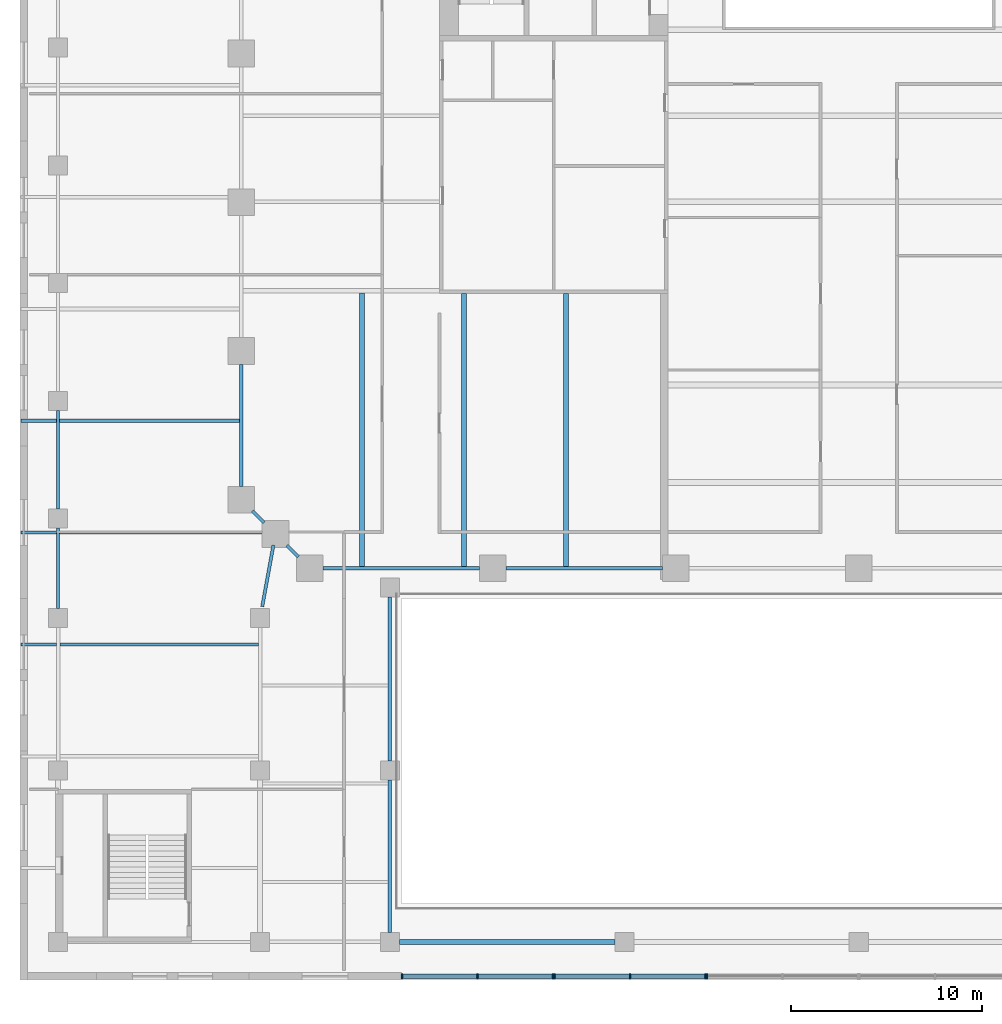
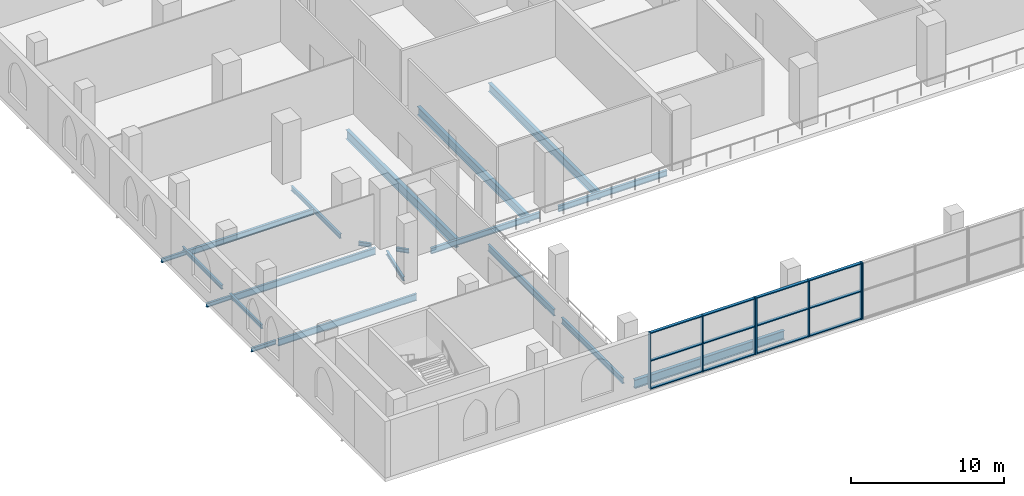
# One storey, part 2 of 19: 20 beams, 19 members, 3 elements without a shape of their own.
"""IFC4 building model written with IfcOpenShell, lengths in metres."""

from ifc_helpers import new_model, si_unit, direction, frame, origin, origin_2d, place, context, subcontext, project, spatial, rectangle, i_section, extrude, material, material_profile, profile_set, type_object, element, aggregate, save


model = new_model("IFC4")

# Units and contexts
model_context = context("Model", 3, precision=1e-05, world=origin(), true_north=direction((0.0, 1.0)))
body_context = subcontext(model_context, "Body", "Model", "MODEL_VIEW")
ifc_project = project(units=[si_unit("LENGTHUNIT", "METRE"), si_unit("AREAUNIT", "SQUARE_METRE"), si_unit("VOLUMEUNIT", "CUBIC_METRE"), si_unit("PLANEANGLEUNIT", "RADIAN"), si_unit("MASSUNIT", "GRAM", prefix="KILO")], contexts=[model_context])

# Site, building, storey
site_placement = place(None, origin())
site = spatial("IfcSite", under=ifc_project, at=site_placement, CompositionType="ELEMENT")
building_placement = place(site_placement, origin())
building = spatial("IfcBuilding", under=site, at=building_placement, Name="Ogive Exchange Tower", CompositionType="ELEMENT")
storey_placement = place(building_placement, frame((0.0, 0.0, 24.0)))
storey = spatial("IfcBuildingStorey", under=building, at=storey_placement, Name="L04", CompositionType="ELEMENT", Elevation=24.0)

# Beams
ifc_material_1 = material(Name="Steel ASTM A992 Gr50", Category="steel")
ifc_material_profile_1 = material_profile(ifc_material_1, i_section(OverallWidth=0.1650390625, OverallDepth=0.31005859375, WebThickness=0.005859375, FlangeThickness=0.009765625, at=origin_2d()), Name="W310x38.7")
ifc_profile_set_1 = profile_set([ifc_material_profile_1], Name="Steel ASTM A992 Gr50")
beam_type_1 = type_object("IfcBeamType", Name="Floor beam W310x38.7", PredefinedType="JOIST", material=ifc_profile_set_1)
beam_1_placement = place(storey_placement, frame((-43.949951171875, -34.39990234375, -0.455078125), z_axis=(1.0, 0.0, 0.0), x_axis=(0.0, 1.0, 0.0)))
element("IfcBeam", 1, at=beam_1_placement, inside=storey, type_object=beam_type_1, Name="Floor beam", PredefinedType="JOIST", context=body_context, shape_type="SweptSolid", body=[
    extrude(i_section(OverallWidth=0.1650390625, OverallDepth=0.31005859375, WebThickness=0.005859375, FlangeThickness=0.009765625, at=origin_2d()), origin(), (0.0, 0.0, 1.0), 1.86083984375),
])
for number, where, z_axis, x_axis, name in (
    (2, (-43.949951171875, -28.533203125, -0.455078125), (1.0, 0.0, 0.0), (0.0, 1.0, 0.0), "Floor beam"),
    (3, (-43.949951171875, -22.666748046875, -0.455078125), (1.0, 0.0, 0.0), (0.0, 1.0, 0.0), "Floor beam"),
):
    element("IfcBeam", number, at=place(storey_placement, frame(where, z_axis=z_axis, x_axis=x_axis)), inside=storey, type_object=beam_type_1, Name=name, PredefinedType="JOIST", context=body_context, shape_type="SweptSolid", body=[
        extrude(i_section(OverallWidth=0.1650390625, OverallDepth=0.31005859375, WebThickness=0.005859375, FlangeThickness=0.009765625, at=origin_2d()), origin(), (0.0, 0.0, 1.0), 1.867431640625),
    ])
ifc_material_profile_2 = material_profile(ifc_material_1, i_section(OverallWidth=0.19091796875, OverallDepth=0.45703125, WebThickness=0.009033203125, FlangeThickness=0.014404296875, at=origin_2d()), Name="W460x74")
ifc_profile_set_2 = profile_set([ifc_material_profile_2], Name="Steel ASTM A992 Gr50")
beam_type_2 = type_object("IfcBeamType", Name="Floor beam W460x74", PredefinedType="JOIST", material=ifc_profile_set_2)
beam_2_placement = place(storey_placement, frame((-41.91748046875, -22.666748046875, -0.528564453125), z_axis=(1.0, 0.0, 0.0), x_axis=(0.0, 1.0, 0.0)))
element("IfcBeam", 4, at=beam_2_placement, inside=storey, type_object=beam_type_2, Name="Floor beam", PredefinedType="JOIST", context=body_context, shape_type="SweptSolid", body=[
    extrude(i_section(OverallWidth=0.19091796875, OverallDepth=0.45703125, WebThickness=0.009033203125, FlangeThickness=0.014404296875, at=origin_2d()), origin(), (0.0, 0.0, 1.0), 9.431884765625),
])
ifc_material_profile_3 = material_profile(ifc_material_1, i_section(OverallWidth=0.1669921875, OverallDepth=0.535888671875, WebThickness=0.01025390625, FlangeThickness=0.0166015625, at=origin_2d()), Name="W530x85")
ifc_profile_set_3 = profile_set([ifc_material_profile_3], Name="Steel ASTM A992 Gr50")
beam_type_3 = type_object("IfcBeamType", Name="Floor beam W530x85", PredefinedType="JOIST", material=ifc_profile_set_3)
beam_3_placement = place(storey_placement, frame((-41.910888671875, -34.39990234375, -0.568115234375), z_axis=(1.0, 0.0, 0.0), x_axis=(0.0, 1.0, 0.0)))
element("IfcBeam", 5, at=beam_3_placement, inside=storey, type_object=beam_type_3, Name="Floor beam", PredefinedType="JOIST", context=body_context, shape_type="SweptSolid", body=[
    extrude(i_section(OverallWidth=0.1669921875, OverallDepth=0.535888671875, WebThickness=0.01025390625, FlangeThickness=0.0166015625, at=origin_2d()), origin(), (0.0, 0.0, 1.0), 10.421875),
])
beam_4_placement = place(storey_placement, frame((-41.91748046875, -28.533203125, -0.568115234375), z_axis=(1.0, 0.0, 0.0), x_axis=(0.0, 1.0, 0.0)))
element("IfcBeam", 6, at=beam_4_placement, inside=storey, type_object=beam_type_3, Name="Floor beam", PredefinedType="JOIST", context=body_context, shape_type="SweptSolid", body=[
    extrude(i_section(OverallWidth=0.1669921875, OverallDepth=0.535888671875, WebThickness=0.01025390625, FlangeThickness=0.0166015625, at=origin_2d()), origin(), (0.0, 0.0, 1.0), 10.717529296875),
])
ifc_material_profile_4 = material_profile(ifc_material_1, i_section(OverallWidth=0.25390625, OverallDepth=0.68310546875, WebThickness=0.012451171875, FlangeThickness=0.018798828125, at=origin_2d()), Name="W690x140")
ifc_profile_set_4 = profile_set([ifc_material_profile_4], Name="Steel ASTM A992 Gr50")
beam_type_4 = type_object("IfcBeamType", Name="Floor beam W690x140", PredefinedType="JOIST", material=ifc_profile_set_4)
for number, where, z_axis, x_axis, name in (
    (7, (-20.699951171875, -30.304443359375, -0.6416015625), (0.0, 1.0, 0.0), (-1.0, 0.0, 0.0), "Floor beam"),
    (8, (-15.35009765625, -30.304443359375, -0.6416015625), (0.0, 1.0, 0.0), (-1.0, 0.0, 0.0), "Floor beam"),
):
    element("IfcBeam", number, at=place(storey_placement, frame(where, z_axis=z_axis, x_axis=x_axis)), inside=storey, type_object=beam_type_4, Name=name, PredefinedType="JOIST", context=body_context, shape_type="SweptSolid", body=[
        extrude(i_section(OverallWidth=0.25390625, OverallDepth=0.68310546875, WebThickness=0.012451171875, FlangeThickness=0.018798828125, at=origin_2d()), origin(), (0.0, 0.0, 1.0), 14.304443359375),
    ])
ifc_material_profile_5 = material_profile(ifc_material_1, i_section(OverallWidth=0.26708984375, OverallDepth=0.75390625, WebThickness=0.01318359375, FlangeThickness=0.01708984375, at=origin_2d()), Name="W760x147")
ifc_profile_set_5 = profile_set([ifc_material_profile_5], Name="Steel ASTM A992 Gr50")
beam_type_5 = type_object("IfcBeamType", Name="Floor beam W760x147", PredefinedType="JOIST", material=ifc_profile_set_5)
beam_5_placement = place(storey_placement, frame((-26.050048828125, -30.304443359375, -0.677001953125), z_axis=(0.0, 1.0, 0.0), x_axis=(-1.0, 0.0, 0.0)))
element("IfcBeam", 9, at=beam_5_placement, inside=storey, type_object=beam_type_5, Name="Floor beam", PredefinedType="JOIST", context=body_context, shape_type="SweptSolid", body=[
    extrude(i_section(OverallWidth=0.26708984375, OverallDepth=0.75390625, WebThickness=0.01318359375, FlangeThickness=0.01708984375, at=origin_2d()), origin(), (0.0, 0.0, 1.0), 14.345458984375),
])

# Curtain wall, members
ifc_material_2 = material(Name="Anodised aluminium and clear glass", Category="aluminium")
curtain_wall_type = type_object("IfcCurtainWallType", Name="Galleria end wall glazing", PredefinedType="NOTDEFINED", material=ifc_material_2)
curtain_wall_1_placement = place(storey_placement, origin())
curtain_wall_1 = element("IfcCurtainWall", 10, at=curtain_wall_1_placement, inside=storey, type_object=curtain_wall_type, Name="Galleria end wall glazing run GE4", PredefinedType="NOTDEFINED")
ifc_material_3 = material(Name="Anodised aluminium", Category="aluminium")
ifc_material_profile_6 = material_profile(ifc_material_3, rectangle(XDim=0.260009765625, YDim=0.080078125, at=origin_2d()), Name="AL 80x260")
ifc_profile_set_6 = profile_set([ifc_material_profile_6], Name="Anodised aluminium")
member_type_1 = type_object("IfcMemberType", Name="Galleria end wall glazing mullion 80 x 260", PredefinedType="MULLION", material=ifc_profile_set_6)
member_1_placement = place(storey_placement, frame((-23.9599609375, -51.800048828125, 0.0), z_axis=(0.0, 0.0, 1.0), x_axis=(0.0, 1.0, 0.0)))
member_1 = element("IfcMember", 11, at=member_1_placement, type_object=member_type_1, Name="GE4 mullion 1", PredefinedType="MULLION", context=body_context, shape_type="SweptSolid", body=[
    extrude(rectangle(XDim=0.260009765625, YDim=0.080078125, at=origin_2d()), origin(), (0.0, 0.0, 1.0), 4.5),
])
member_2_placement = place(storey_placement, frame((-20.0, -51.800048828125, 0.0), z_axis=(0.0, 0.0, 1.0), x_axis=(0.0, 1.0, 0.0)))
member_2 = element("IfcMember", 12, at=member_2_placement, type_object=member_type_1, Name="GE4 mullion 2", PredefinedType="MULLION", context=body_context, shape_type="SweptSolid", body=[
    extrude(rectangle(XDim=0.260009765625, YDim=0.080078125, at=origin_2d()), origin(), (0.0, 0.0, 1.0), 4.5),
])
member_3_placement = place(storey_placement, frame((-16.0400390625, -51.800048828125, 0.0), z_axis=(0.0, 0.0, 1.0), x_axis=(0.0, 1.0, 0.0)))
member_3 = element("IfcMember", 13, at=member_3_placement, type_object=member_type_1, Name="GE4 mullion 3", PredefinedType="MULLION", context=body_context, shape_type="SweptSolid", body=[
    extrude(rectangle(XDim=0.260009765625, YDim=0.080078125, at=origin_2d()), origin(), (0.0, 0.0, 1.0), 4.5),
])

curtain_wall_2_placement = place(storey_placement, origin())
curtain_wall_2 = element("IfcCurtainWall", 14, at=curtain_wall_2_placement, inside=storey, type_object=curtain_wall_type, Name="Galleria end wall glazing run GE5", PredefinedType="NOTDEFINED")
member_4_placement = place(storey_placement, frame((-15.9599609375, -51.800048828125, 0.0), z_axis=(0.0, 0.0, 1.0), x_axis=(0.0, 1.0, 0.0)))
member_4 = element("IfcMember", 15, at=member_4_placement, type_object=member_type_1, Name="GE5 mullion 1", PredefinedType="MULLION", context=body_context, shape_type="SweptSolid", body=[
    extrude(rectangle(XDim=0.260009765625, YDim=0.080078125, at=origin_2d()), origin(), (0.0, 0.0, 1.0), 4.5),
])
member_5_placement = place(storey_placement, frame((-12.0, -51.800048828125, 0.0), z_axis=(0.0, 0.0, 1.0), x_axis=(0.0, 1.0, 0.0)))
member_5 = element("IfcMember", 16, at=member_5_placement, type_object=member_type_1, Name="GE5 mullion 2", PredefinedType="MULLION", context=body_context, shape_type="SweptSolid", body=[
    extrude(rectangle(XDim=0.260009765625, YDim=0.080078125, at=origin_2d()), origin(), (0.0, 0.0, 1.0), 4.5),
])
member_6_placement = place(storey_placement, frame((-8.0400390625, -51.800048828125, 0.0), z_axis=(0.0, 0.0, 1.0), x_axis=(0.0, 1.0, 0.0)))
member_6 = element("IfcMember", 17, at=member_6_placement, type_object=member_type_1, Name="GE5 mullion 3", PredefinedType="MULLION", context=body_context, shape_type="SweptSolid", body=[
    extrude(rectangle(XDim=0.260009765625, YDim=0.080078125, at=origin_2d()), origin(), (0.0, 0.0, 1.0), 4.5),
])

# Curtain wall, member
curtain_wall_3_placement = place(storey_placement, origin())
curtain_wall_3 = element("IfcCurtainWall", 18, at=curtain_wall_3_placement, inside=storey, type_object=curtain_wall_type, Name="Galleria end wall glazing run GE6", PredefinedType="NOTDEFINED")
member_7_placement = place(storey_placement, frame((-7.9599609375, -51.800048828125, 0.0), z_axis=(0.0, 0.0, 1.0), x_axis=(0.0, 1.0, 0.0)))
member_7 = element("IfcMember", 19, at=member_7_placement, type_object=member_type_1, Name="GE6 mullion 1", PredefinedType="MULLION", context=body_context, shape_type="SweptSolid", body=[
    extrude(rectangle(XDim=0.260009765625, YDim=0.080078125, at=origin_2d()), origin(), (0.0, 0.0, 1.0), 4.5),
])
aggregate(curtain_wall_3, [member_7])

# Member
ifc_material_profile_7 = material_profile(ifc_material_3, rectangle(XDim=0.219970703125, YDim=0.080078125, at=origin_2d()), Name="AL 80x220")
ifc_profile_set_7 = profile_set([ifc_material_profile_7], Name="Anodised aluminium")
member_type_2 = type_object("IfcMemberType", Name="Galleria end wall glazing transom 80 x 220", PredefinedType="USERDEFINED", material=ifc_profile_set_7)
member_8_placement = place(storey_placement, frame((-23.919921875, -51.800048828125, 0.0400390625), z_axis=(1.0, 0.0, 0.0), x_axis=(0.0, 1.0, 0.0)))
member_8 = element("IfcMember", 20, at=member_8_placement, type_object=member_type_2, Name="GE4 transom 1.1", ObjectType="TRANSOM", PredefinedType="USERDEFINED", context=body_context, shape_type="SweptSolid", body=[
    extrude(rectangle(XDim=0.219970703125, YDim=0.080078125, at=origin_2d()), origin(), (0.0, 0.0, 1.0), 3.8798828125),
])

member_9_placement = place(storey_placement, frame((-23.919921875, -51.800048828125, 2.25), z_axis=(1.0, 0.0, 0.0), x_axis=(0.0, 1.0, 0.0)))
member_9 = element("IfcMember", 21, at=member_9_placement, type_object=member_type_2, Name="GE4 transom 1.2", ObjectType="TRANSOM", PredefinedType="USERDEFINED", context=body_context, shape_type="SweptSolid", body=[
    extrude(rectangle(XDim=0.219970703125, YDim=0.080078125, at=origin_2d()), origin(), (0.0, 0.0, 1.0), 3.8798828125),
])

member_10_placement = place(storey_placement, frame((-23.919921875, -51.800048828125, 4.4599609375), z_axis=(1.0, 0.0, 0.0), x_axis=(0.0, 1.0, 0.0)))
member_10 = element("IfcMember", 22, at=member_10_placement, type_object=member_type_2, Name="GE4 transom 1.3", ObjectType="TRANSOM", PredefinedType="USERDEFINED", context=body_context, shape_type="SweptSolid", body=[
    extrude(rectangle(XDim=0.219970703125, YDim=0.080078125, at=origin_2d()), origin(), (0.0, 0.0, 1.0), 3.8798828125),
])

member_11_placement = place(storey_placement, frame((-19.9599609375, -51.800048828125, 0.0400390625), z_axis=(1.0, 0.0, 0.0), x_axis=(0.0, 1.0, 0.0)))
member_11 = element("IfcMember", 23, at=member_11_placement, type_object=member_type_2, Name="GE4 transom 2.1", ObjectType="TRANSOM", PredefinedType="USERDEFINED", context=body_context, shape_type="SweptSolid", body=[
    extrude(rectangle(XDim=0.219970703125, YDim=0.080078125, at=origin_2d()), origin(), (0.0, 0.0, 1.0), 3.8798828125),
])

member_12_placement = place(storey_placement, frame((-19.9599609375, -51.800048828125, 2.25), z_axis=(1.0, 0.0, 0.0), x_axis=(0.0, 1.0, 0.0)))
member_12 = element("IfcMember", 24, at=member_12_placement, type_object=member_type_2, Name="GE4 transom 2.2", ObjectType="TRANSOM", PredefinedType="USERDEFINED", context=body_context, shape_type="SweptSolid", body=[
    extrude(rectangle(XDim=0.219970703125, YDim=0.080078125, at=origin_2d()), origin(), (0.0, 0.0, 1.0), 3.8798828125),
])

member_13_placement = place(storey_placement, frame((-19.9599609375, -51.800048828125, 4.4599609375), z_axis=(1.0, 0.0, 0.0), x_axis=(0.0, 1.0, 0.0)))
member_13 = element("IfcMember", 25, at=member_13_placement, type_object=member_type_2, Name="GE4 transom 2.3", ObjectType="TRANSOM", PredefinedType="USERDEFINED", context=body_context, shape_type="SweptSolid", body=[
    extrude(rectangle(XDim=0.219970703125, YDim=0.080078125, at=origin_2d()), origin(), (0.0, 0.0, 1.0), 3.8798828125),
])

aggregate(curtain_wall_1, [member_1, member_2, member_3, member_8, member_9, member_10, member_11, member_12, member_13])

member_14_placement = place(storey_placement, frame((-15.919921875, -51.800048828125, 0.0400390625), z_axis=(1.0, 0.0, 0.0), x_axis=(0.0, 1.0, 0.0)))
member_14 = element("IfcMember", 26, at=member_14_placement, type_object=member_type_2, Name="GE5 transom 1.1", ObjectType="TRANSOM", PredefinedType="USERDEFINED", context=body_context, shape_type="SweptSolid", body=[
    extrude(rectangle(XDim=0.219970703125, YDim=0.080078125, at=origin_2d()), origin(), (0.0, 0.0, 1.0), 3.8798828125),
])

member_15_placement = place(storey_placement, frame((-15.919921875, -51.800048828125, 2.25), z_axis=(1.0, 0.0, 0.0), x_axis=(0.0, 1.0, 0.0)))
member_15 = element("IfcMember", 27, at=member_15_placement, type_object=member_type_2, Name="GE5 transom 1.2", ObjectType="TRANSOM", PredefinedType="USERDEFINED", context=body_context, shape_type="SweptSolid", body=[
    extrude(rectangle(XDim=0.219970703125, YDim=0.080078125, at=origin_2d()), origin(), (0.0, 0.0, 1.0), 3.8798828125),
])

member_16_placement = place(storey_placement, frame((-15.919921875, -51.800048828125, 4.4599609375), z_axis=(1.0, 0.0, 0.0), x_axis=(0.0, 1.0, 0.0)))
member_16 = element("IfcMember", 28, at=member_16_placement, type_object=member_type_2, Name="GE5 transom 1.3", ObjectType="TRANSOM", PredefinedType="USERDEFINED", context=body_context, shape_type="SweptSolid", body=[
    extrude(rectangle(XDim=0.219970703125, YDim=0.080078125, at=origin_2d()), origin(), (0.0, 0.0, 1.0), 3.8798828125),
])

member_17_placement = place(storey_placement, frame((-11.9599609375, -51.800048828125, 0.0400390625), z_axis=(1.0, 0.0, 0.0), x_axis=(0.0, 1.0, 0.0)))
member_17 = element("IfcMember", 29, at=member_17_placement, type_object=member_type_2, Name="GE5 transom 2.1", ObjectType="TRANSOM", PredefinedType="USERDEFINED", context=body_context, shape_type="SweptSolid", body=[
    extrude(rectangle(XDim=0.219970703125, YDim=0.080078125, at=origin_2d()), origin(), (0.0, 0.0, 1.0), 3.8798828125),
])

member_18_placement = place(storey_placement, frame((-11.9599609375, -51.800048828125, 2.25), z_axis=(1.0, 0.0, 0.0), x_axis=(0.0, 1.0, 0.0)))
member_18 = element("IfcMember", 30, at=member_18_placement, type_object=member_type_2, Name="GE5 transom 2.2", ObjectType="TRANSOM", PredefinedType="USERDEFINED", context=body_context, shape_type="SweptSolid", body=[
    extrude(rectangle(XDim=0.219970703125, YDim=0.080078125, at=origin_2d()), origin(), (0.0, 0.0, 1.0), 3.8798828125),
])

member_19_placement = place(storey_placement, frame((-11.9599609375, -51.800048828125, 4.4599609375), z_axis=(1.0, 0.0, 0.0), x_axis=(0.0, 1.0, 0.0)))
member_19 = element("IfcMember", 31, at=member_19_placement, type_object=member_type_2, Name="GE5 transom 2.3", ObjectType="TRANSOM", PredefinedType="USERDEFINED", context=body_context, shape_type="SweptSolid", body=[
    extrude(rectangle(XDim=0.219970703125, YDim=0.080078125, at=origin_2d()), origin(), (0.0, 0.0, 1.0), 3.8798828125),
])

aggregate(curtain_wall_2, [member_4, member_5, member_6, member_14, member_15, member_16, member_17, member_18, member_19])

# Beams
ifc_material_profile_8 = material_profile(ifc_material_1, i_section(OverallWidth=0.1650390625, OverallDepth=0.31005859375, WebThickness=0.005859375, FlangeThickness=0.009765625, at=origin_2d()), Name="W310x38.7")
ifc_profile_set_8 = profile_set([ifc_material_profile_8], Name="Steel ASTM A992 Gr50")
beam_type_6 = type_object("IfcBeamType", Name="Girder W310x38.7", PredefinedType="BEAM", material=ifc_profile_set_8)
for number, where, z_axis, x_axis, name in (
    (32, (-31.805908203125, -27.39404296875, -0.455078125), (0.706965712506, -0.707247821729, 0.0), (0.707247821729, 0.706965712506, 0.0), "Girder"),
    (33, (-30.006103515625, -29.194091796875, -0.455078125), (0.707247821729, -0.706965712506, 0.0), (0.706965712506, 0.707247821729, 0.0), "Girder"),
):
    element("IfcBeam", number, at=place(storey_placement, frame(where, z_axis=z_axis, x_axis=x_axis)), inside=storey, type_object=beam_type_6, Name=name, PredefinedType="BEAM", context=body_context, shape_type="SweptSolid", body=[
        extrude(i_section(OverallWidth=0.1650390625, OverallDepth=0.31005859375, WebThickness=0.005859375, FlangeThickness=0.009765625, at=origin_2d()), origin(), (0.0, 0.0, 1.0), 0.865478515625),
    ])
beam_6_placement = place(storey_placement, frame((-31.292724609375, -32.40966796875, -0.455078125), z_axis=(0.178911700404, 0.983865134792, 0.0), x_axis=(-0.983865134792, 0.178911700404, 0.0)))
element("IfcBeam", 34, at=beam_6_placement, inside=storey, type_object=beam_type_6, Name="Girder", PredefinedType="BEAM", context=body_context, shape_type="SweptSolid", body=[
    extrude(i_section(OverallWidth=0.1650390625, OverallDepth=0.31005859375, WebThickness=0.005859375, FlangeThickness=0.009765625, at=origin_2d()), origin(), (0.0, 0.0, 1.0), 3.272216796875),
])
beam_7_placement = place(storey_placement, frame((-42.0, -32.5, -0.455078125), z_axis=(0.0, 1.0, 0.0), x_axis=(-1.0, 0.0, 0.0)))
element("IfcBeam", 35, at=beam_7_placement, inside=storey, type_object=beam_type_6, Name="Girder", PredefinedType="BEAM", context=body_context, shape_type="SweptSolid", body=[
    extrude(i_section(OverallWidth=0.1650390625, OverallDepth=0.31005859375, WebThickness=0.005859375, FlangeThickness=0.009765625, at=origin_2d()), origin(), (0.0, 0.0, 1.0), 4.199951171875),
])
beam_8_placement = place(storey_placement, frame((-42.0, -27.300048828125, -0.455078125), z_axis=(0.0, 1.0, 0.0), x_axis=(-1.0, 0.0, 0.0)))
element("IfcBeam", 36, at=beam_8_placement, inside=storey, type_object=beam_type_6, Name="Girder", PredefinedType="BEAM", context=body_context, shape_type="SweptSolid", body=[
    extrude(i_section(OverallWidth=0.1650390625, OverallDepth=0.31005859375, WebThickness=0.005859375, FlangeThickness=0.009765625, at=origin_2d()), origin(), (0.0, 0.0, 1.0), 5.179931640625),
])
ifc_material_profile_9 = material_profile(ifc_material_1, i_section(OverallWidth=0.1708984375, OverallDepth=0.35595703125, WebThickness=0.00732421875, FlangeThickness=0.01171875, at=origin_2d()), Name="W360x51")
ifc_profile_set_9 = profile_set([ifc_material_profile_9], Name="Steel ASTM A992 Gr50")
beam_type_7 = type_object("IfcBeamType", Name="Girder W360x51", PredefinedType="BEAM", material=ifc_profile_set_9)
beam_9_placement = place(storey_placement, frame((-32.39990234375, -19.699951171875, -0.47802734375), z_axis=(0.0, -1.0, 0.0), x_axis=(1.0, 0.0, 0.0)))
element("IfcBeam", 37, at=beam_9_placement, inside=storey, type_object=beam_type_7, Name="Girder", PredefinedType="BEAM", context=body_context, shape_type="SweptSolid", body=[
    extrude(i_section(OverallWidth=0.1708984375, OverallDepth=0.35595703125, WebThickness=0.00732421875, FlangeThickness=0.01171875, at=origin_2d()), origin(), (0.0, 0.0, 1.0), 6.400146484375),
])
ifc_material_profile_10 = material_profile(ifc_material_1, i_section(OverallWidth=0.19091796875, OverallDepth=0.45703125, WebThickness=0.009033203125, FlangeThickness=0.014404296875, at=origin_2d()), Name="W460x74")
ifc_profile_set_10 = profile_set([ifc_material_profile_10], Name="Steel ASTM A992 Gr50")
beam_type_8 = type_object("IfcBeamType", Name="Girder W460x74", PredefinedType="BEAM", material=ifc_profile_set_10)
beam_10_placement = place(storey_placement, frame((-28.10009765625, -30.39990234375, -0.528564453125), z_axis=(1.0, 0.0, 0.0), x_axis=(0.0, 1.0, 0.0)))
element("IfcBeam", 38, at=beam_10_placement, inside=storey, type_object=beam_type_8, Name="Girder", PredefinedType="BEAM", context=body_context, shape_type="SweptSolid", body=[
    extrude(i_section(OverallWidth=0.19091796875, OverallDepth=0.45703125, WebThickness=0.009033203125, FlangeThickness=0.014404296875, at=origin_2d()), origin(), (0.0, 0.0, 1.0), 8.2001953125),
])
beam_11_placement = place(storey_placement, frame((-18.5, -30.39990234375, -0.528564453125), z_axis=(1.0, 0.0, 0.0), x_axis=(0.0, 1.0, 0.0)))
element("IfcBeam", 39, at=beam_11_placement, inside=storey, type_object=beam_type_8, Name="Girder", PredefinedType="BEAM", context=body_context, shape_type="SweptSolid", body=[
    extrude(i_section(OverallWidth=0.19091796875, OverallDepth=0.45703125, WebThickness=0.009033203125, FlangeThickness=0.014404296875, at=origin_2d()), origin(), (0.0, 0.0, 1.0), 8.199951171875),
])
beam_12_placement = place(storey_placement, frame((-24.60009765625, -49.5, -0.528564453125), z_axis=(0.0, 1.0, 0.0), x_axis=(-1.0, 0.0, 0.0)))
element("IfcBeam", 40, at=beam_12_placement, inside=storey, type_object=beam_type_8, Name="Girder", PredefinedType="BEAM", context=body_context, shape_type="SweptSolid", body=[
    extrude(i_section(OverallWidth=0.19091796875, OverallDepth=0.45703125, WebThickness=0.009033203125, FlangeThickness=0.014404296875, at=origin_2d()), origin(), (0.0, 0.0, 1.0), 8.0),
])
ifc_material_profile_11 = material_profile(ifc_material_1, i_section(OverallWidth=0.1669921875, OverallDepth=0.535888671875, WebThickness=0.01025390625, FlangeThickness=0.0166015625, at=origin_2d()), Name="W530x85")
ifc_profile_set_11 = profile_set([ifc_material_profile_11], Name="Steel ASTM A992 Gr50")
beam_type_9 = type_object("IfcBeamType", Name="Girder W530x85", PredefinedType="BEAM", material=ifc_profile_set_11)
beam_13_placement = place(storey_placement, frame((-24.60009765625, -40.5, -0.568115234375), z_axis=(0.0, 1.0, 0.0), x_axis=(-1.0, 0.0, 0.0)))
element("IfcBeam", 41, at=beam_13_placement, inside=storey, type_object=beam_type_9, Name="Girder", PredefinedType="BEAM", context=body_context, shape_type="SweptSolid", body=[
    extrude(i_section(OverallWidth=0.1669921875, OverallDepth=0.535888671875, WebThickness=0.01025390625, FlangeThickness=0.0166015625, at=origin_2d()), origin(), (0.0, 0.0, 1.0), 8.60009765625),
])
ifc_material_profile_12 = material_profile(ifc_material_1, i_section(OverallWidth=0.25390625, OverallDepth=0.677978515625, WebThickness=0.01171875, FlangeThickness=0.016357421875, at=origin_2d()), Name="W690x125")
ifc_profile_set_12 = profile_set([ifc_material_profile_12], Name="Steel ASTM A992 Gr50")
beam_type_10 = type_object("IfcBeamType", Name="Girder W690x125", PredefinedType="BEAM", material=ifc_profile_set_12)
beam_14_placement = place(storey_placement, frame((-24.10009765625, -50.0, -0.638916015625), z_axis=(1.0, 0.0, 0.0), x_axis=(0.0, 1.0, 0.0)))
element("IfcBeam", 42, at=beam_14_placement, inside=storey, type_object=beam_type_10, Name="Girder", PredefinedType="BEAM", context=body_context, shape_type="SweptSolid", body=[
    extrude(i_section(OverallWidth=0.25390625, OverallDepth=0.677978515625, WebThickness=0.01171875, FlangeThickness=0.016357421875, at=origin_2d()), origin(), (0.0, 0.0, 1.0), 11.300048828125),
])

save(model, "model.ifc")
